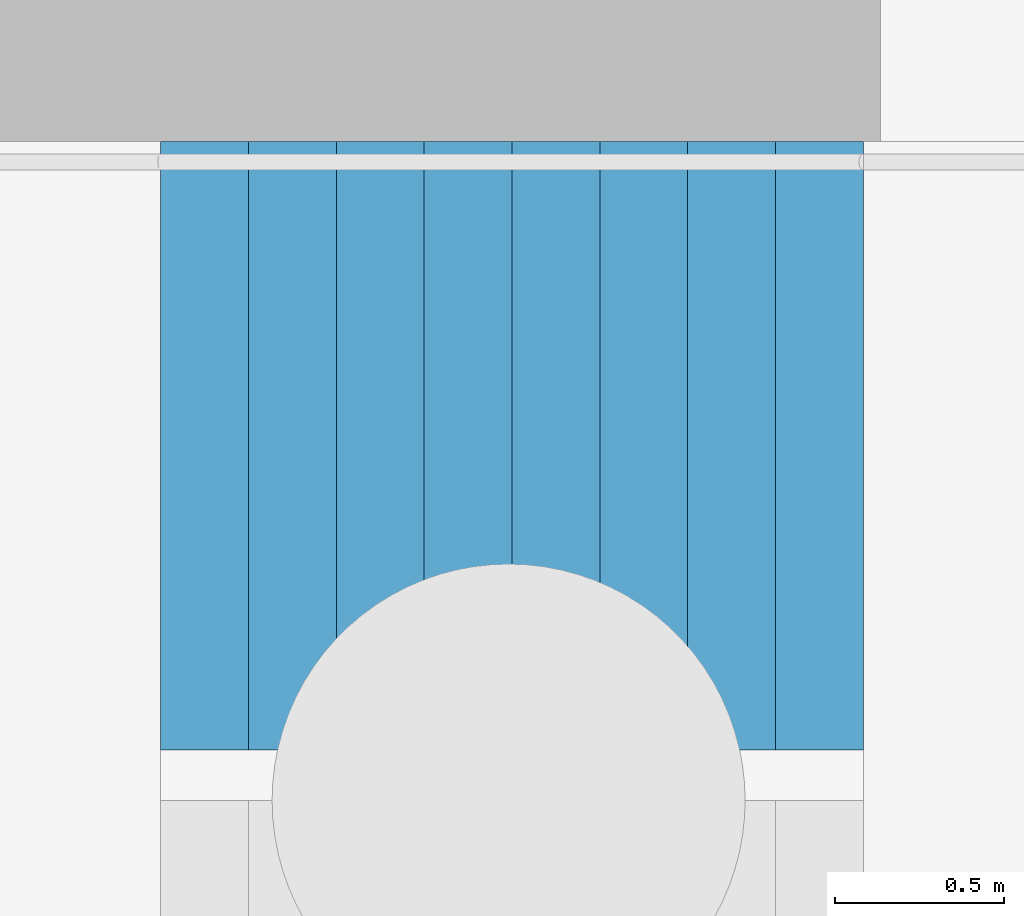
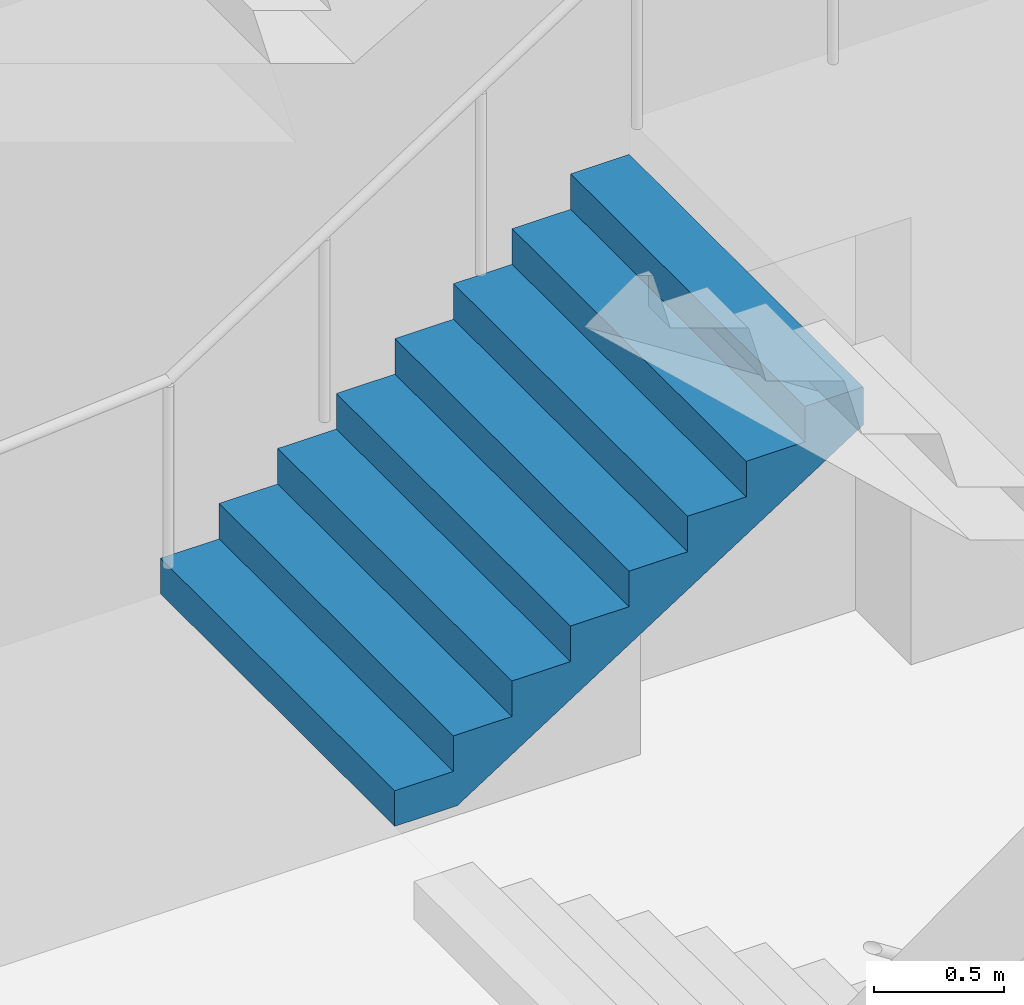
# One storey, part 81 of 113: 1 stair flight, 1 element without a shape of its own.
"""IFC4 building model written with IfcOpenShell, lengths in metres."""

import ifcopenshell
import ifcopenshell.guid

model = None  # the IFC model being written
_history = None  # IfcOwnerHistory: only IFC2X3 demands one
_inside = {}  # id of a spatial element -> (the spatial element, [elements in it])
_under = {}  # id of a project, library or spatial element -> (it, [spatial elements below it])
_declared = {}  # id of a project -> (the project, [libraries it declares])
_typed = {}  # id of a type object -> (the type object, [elements of that type])
_made_of = {}  # id of a material, layer set ... -> (it, [elements and type objects made of it])


def new_model(schema):
    """Start an empty IFC model of exactly this schema.

    Asked for "IFC4X3", IfcOpenShell would pick the latest addendum, in which some entities
    have other attributes; the version numbers below select the first issue.
    IFC2X3 requires an IfcOwnerHistory on every rooted entity: one is made here for all.
    """
    global model, _history
    if schema == "IFC4X3":
        model = ifcopenshell.file(schema_version=(4, 3, 0, 0))
    else:
        model = ifcopenshell.file(schema=schema)
    _inside.clear()
    _under.clear()
    _declared.clear()
    _typed.clear()
    _made_of.clear()
    _history = None
    if model.schema == "IFC2X3":
        org = make("IfcOrganization", Name="unknown")
        user = make(
            "IfcPersonAndOrganization",
            ThePerson=make("IfcPerson", FamilyName="unknown"),
            TheOrganization=org,
        )
        app = make(
            "IfcApplication",
            ApplicationDeveloper=org,
            Version="unknown",
            ApplicationFullName="unknown",
            ApplicationIdentifier="unknown",
        )
        _history = make(
            "IfcOwnerHistory",
            OwningUser=user,
            OwningApplication=app,
            ChangeAction="ADDED",
            CreationDate=0,
        )
    return model


def make(cls, **values):
    """One entity of the class cls with the attributes given. An attribute that is None is left unset."""
    return model.create_entity(
        cls, **{name: value for name, value in values.items() if value is not None}
    )


def rooted(cls, **values):
    """An entity with a GlobalId (a new one), such as an element, a storey or a relation."""
    return make(cls, GlobalId=ifcopenshell.guid.new(), OwnerHistory=_history, **values)


def si_unit(unit_type, name, prefix=None):
    """IfcSIUnit, for example si_unit("LENGTHUNIT", "METRE", prefix="MILLI")."""
    return make("IfcSIUnit", UnitType=unit_type, Prefix=prefix, Name=name)


def assignment(units):
    """IfcUnitAssignment: the units of a project."""
    return None if units is None else make("IfcUnitAssignment", Units=units)


def point(xyz):
    """IfcCartesianPoint."""
    return None if xyz is None else make("IfcCartesianPoint", Coordinates=xyz)


def direction(xyz):
    """IfcDirection."""
    return None if xyz is None else make("IfcDirection", DirectionRatios=xyz)


def frame(location, z_axis=None, x_axis=None):
    """IfcAxis2Placement3D, a coordinate frame: its origin and axes. An axis left out is left unset."""
    return make(
        "IfcAxis2Placement3D",
        Location=point(location),
        Axis=direction(z_axis),
        RefDirection=direction(x_axis),
    )


def origin():
    """The frame at (0, 0, 0) with its axes left unset."""
    return frame((0.0, 0.0, 0.0))


def place(relative_to, where):
    """IfcLocalPlacement: puts the frame where relative to a parent placement (None: the world)."""
    return make(
        "IfcLocalPlacement", PlacementRelTo=relative_to, RelativePlacement=where
    )


def context(
    kind, dimensions, precision=None, world=None, true_north=None, identifier=None
):
    """IfcGeometricRepresentationContext, for example the 3D "Model" context."""
    return make(
        "IfcGeometricRepresentationContext",
        ContextIdentifier=identifier,
        ContextType=kind,
        CoordinateSpaceDimension=dimensions,
        Precision=precision,
        WorldCoordinateSystem=world,
        TrueNorth=true_north,
    )


def subcontext(parent, identifier, kind, view, scale=None):
    """IfcGeometricRepresentationSubContext, for example "Body" below "Model"."""
    return make(
        "IfcGeometricRepresentationSubContext",
        ContextIdentifier=identifier,
        ContextType=kind,
        ParentContext=parent,
        TargetScale=scale,
        TargetView=view,
    )


def project(units=None, contexts=None):
    """IfcProject with its units and contexts."""
    return rooted(
        "IfcProject",
        Name="project",
        RepresentationContexts=contexts,
        UnitsInContext=assignment(units),
    )


def spatial(cls, under=None, at=None, **own):
    """A site, building, storey or space (cls), placed at a placement, below another one or the project."""
    s = rooted(cls, ObjectPlacement=at, **own)
    if under is not None:
        _under.setdefault(under.id(), (under, []))[1].append(s)
    return s


def point_list(points):
    """IfcCartesianPointList2D or 3D."""
    cls = (
        "IfcCartesianPointList2D" if len(points[0]) == 2 else "IfcCartesianPointList3D"
    )
    return make(cls, CoordList=points)


def triangles(points, corners, closed=None, point_numbers=None):
    """IfcTriangulatedFaceSet: each triangle names its three corners, points numbered from 1."""
    return make(
        "IfcTriangulatedFaceSet",
        Coordinates=point_list(points),
        Closed=closed,
        CoordIndex=corners,
        PnIndex=point_numbers,
    )


def shape(context_of_items, identifier, shape_type, items):
    """IfcShapeRepresentation: the items that make up one representation, for example the "Body"."""
    return make(
        "IfcShapeRepresentation",
        ContextOfItems=context_of_items,
        RepresentationIdentifier=identifier,
        RepresentationType=shape_type,
        Items=items,
    )


def material(Name=None, Category=None):
    """IfcMaterial."""
    return make("IfcMaterial", Name=Name, Category=Category)


def made_of(thing, what):
    """Note that an element or type object is made of a material, layer set ...; save() writes the relation."""
    if what is not None:
        _made_of.setdefault(what.id(), (what, []))[1].append(thing)
    return thing


def type_object(cls, material=None, **own):
    """A type object (cls), such as IfcWallType, which elements share."""
    return made_of(rooted(cls, **own), material)


def element(
    cls,
    number,
    at=None,
    inside=None,
    cuts=None,
    type_object=None,
    material=None,
    context=None,
    identifier="Body",
    shape_type=None,
    held_by="IfcProductDefinitionShape",
    body=None,
    shapes=None,
    **own,
):
    """One element of the class cls, such as IfcWall. Its Tag is "e" and its number.

    at: its placement. inside: the storey or other place that contains it. cuts: it is an
    opening in that element (IfcRelVoidsElement). A single representation is given by context,
    identifier, shape_type and body (its items); several are given by shapes. held_by: the class
    of the entity that holds the representations. save() writes the other relations.
    """
    e = rooted(cls, Tag="e%d" % number, ObjectPlacement=at, **own)
    if body is not None:
        shapes = [shape(context, identifier, shape_type, body)]
    if shapes is not None:
        e.Representation = make(held_by, Representations=shapes)
    if inside is not None:
        _inside.setdefault(inside.id(), (inside, []))[1].append(e)
    if cuts is not None:
        rooted(
            "IfcRelVoidsElement", RelatingBuildingElement=cuts, RelatedOpeningElement=e
        )
    if type_object is not None:
        _typed.setdefault(type_object.id(), (type_object, []))[1].append(e)
    return made_of(e, material)


def aggregate(whole, parts):
    """IfcRelAggregates: a whole, such as a stair, and the parts it consists of."""
    return rooted("IfcRelAggregates", RelatingObject=whole, RelatedObjects=parts)


def save(model, path):
    """Write the relations noted so far, then the file.

    IfcRelAggregates (storeys below a building ...), IfcRelContainedInSpatialStructure (elements
    in a storey), IfcRelDefinesByType, IfcRelAssociatesMaterial and IfcRelDeclares: one each for
    every whole, place, type object, material and project.
    """
    for whole, parts in _under.values():
        aggregate(whole, parts)
    for where, things in _inside.values():
        rooted(
            "IfcRelContainedInSpatialStructure",
            RelatedElements=things,
            RelatingStructure=where,
        )
    for kind, things in _typed.values():
        rooted("IfcRelDefinesByType", RelatedObjects=things, RelatingType=kind)
    for what, things in _made_of.values():
        rooted("IfcRelAssociatesMaterial", RelatedObjects=things, RelatingMaterial=what)
    for by, libraries in _declared.values():
        rooted("IfcRelDeclares", RelatingContext=by, RelatedDefinitions=libraries)
    model.write(path)


model = new_model("IFC4")

# Units and contexts
model_context = context("Model", 3, precision=1e-05, world=origin(), true_north=direction((0.0, 1.0)))
body_context = subcontext(model_context, "Body", "Model", "MODEL_VIEW")
ifc_project = project(units=[si_unit("LENGTHUNIT", "METRE"), si_unit("AREAUNIT", "SQUARE_METRE"), si_unit("VOLUMEUNIT", "CUBIC_METRE"), si_unit("PLANEANGLEUNIT", "RADIAN"), si_unit("MASSUNIT", "GRAM", prefix="KILO")], contexts=[model_context])

# Site, building, storey
site_placement = place(None, origin())
site = spatial("IfcSite", under=ifc_project, at=site_placement, CompositionType="ELEMENT")
building_placement = place(site_placement, origin())
building = spatial("IfcBuilding", under=site, at=building_placement, Name="Hakoniwa Tower and Hamabe Station Hall", CompositionType="ELEMENT")
storey_placement = place(building_placement, origin())
storey = spatial("IfcBuildingStorey", under=building, at=storey_placement, Name="L01", CompositionType="ELEMENT", Elevation=0.0)

# Stair, stair flight
ifc_material_1 = material(Name="Concrete C40", Category="concrete")
stair_type = type_object("IfcStairType", Name="ESCAPE STAIR 1800", PredefinedType="HALF_TURN_STAIR", material=ifc_material_1)
stair_placement = place(storey_placement, origin())
stair = element("IfcStair", 1, at=stair_placement, inside=storey, type_object=stair_type, Name="Escape stair ST-3 L01", PredefinedType="HALF_TURN_STAIR")
ifc_material_2 = material(Name="Concrete C40", Category="concrete")
stair_flight_type = type_object("IfcStairFlightType", Name="STAIR FLIGHT 1800", PredefinedType="STRAIGHT", material=ifc_material_2)
stair_flight_placement = place(storey_placement, frame((22.320068359375, 6.60009765625, 1.5), z_axis=(0.0, 0.0, 1.0), x_axis=(1.0, 0.0, 0.0)))
stair_flight = element("IfcStairFlight", 2, at=stair_flight_placement, type_object=stair_flight_type, Name="ST-3 flight 2", NumberOfRisers=9, NumberOfTreads=8, PredefinedType="STRAIGHT", RiserHeight=0.166666667, TreadLength=0.26, context=body_context, shape_type="Tessellation", body=[
    triangles([(0.0, 0.89990234375, 0.0), (0.260009765625, 0.89990234375, 0.0), (0.27783203125, 0.89990234375, 0.0), (0.52001953125, 0.89990234375, 0.1552734375), (0.780029296875, 0.89990234375, 0.322021484375), (1.0400390625, 0.89990234375, 0.488525390625), (1.300048828125, 0.89990234375, 0.6552734375), (1.56005859375, 0.89990234375, 0.822021484375), (1.820068359375, 0.89990234375, 0.988525390625), (2.080078125, 0.89990234375, 1.1552734375), (2.080078125, 0.89990234375, 1.333251953125), (1.820068359375, 0.89990234375, 1.333251953125), (1.820068359375, 0.89990234375, 1.166748046875), (1.56005859375, 0.89990234375, 1.166748046875), (1.56005859375, 0.89990234375, 1.0), (1.300048828125, 0.89990234375, 1.0), (1.300048828125, 0.89990234375, 0.833251953125), (1.0400390625, 0.89990234375, 0.833251953125), (1.0400390625, 0.89990234375, 0.666748046875), (0.780029296875, 0.89990234375, 0.666748046875), (0.780029296875, 0.89990234375, 0.5), (0.52001953125, 0.89990234375, 0.5), (0.52001953125, 0.89990234375, 0.333251953125), (0.27783203125, 0.89990234375, 0.333251953125), (0.260009765625, 0.89990234375, 0.333251953125), (0.260009765625, 0.89990234375, 0.166748046875), (0.0, 0.89990234375, 0.166748046875), (0.0, 0.06005859375, 0.0), (0.260009765625, 0.06005859375, 0.0), (0.27783203125, 0.06005859375, 0.0), (0.52001953125, 0.06005859375, 0.1552734375), (0.780029296875, 0.06005859375, 0.322021484375), (1.0400390625, 0.06005859375, 0.488525390625), (1.300048828125, 0.06005859375, 0.6552734375), (1.56005859375, 0.06005859375, 0.822021484375), (1.820068359375, 0.06005859375, 0.988525390625), (2.080078125, 0.06005859375, 1.1552734375), (2.080078125, 0.06005859375, 1.333251953125), (1.820068359375, 0.06005859375, 1.333251953125), (1.820068359375, 0.06005859375, 1.166748046875), (1.56005859375, 0.06005859375, 1.166748046875), (1.56005859375, 0.06005859375, 1.0), (1.300048828125, 0.06005859375, 1.0), (1.300048828125, 0.06005859375, 0.833251953125), (1.0400390625, 0.06005859375, 0.833251953125), (1.0400390625, 0.06005859375, 0.666748046875), (0.780029296875, 0.06005859375, 0.666748046875), (0.780029296875, 0.06005859375, 0.5), (0.52001953125, 0.06005859375, 0.5), (0.52001953125, 0.06005859375, 0.333251953125), (0.27783203125, 0.06005859375, 0.333251953125), (0.260009765625, 0.06005859375, 0.333251953125), (0.260009765625, 0.06005859375, 0.166748046875), (0.0, 0.06005859375, 0.166748046875), (0.0, 0.04296875, 0.0), (0.260009765625, 0.04296875, 0.0), (0.27783203125, 0.04296875, 0.0), (0.52001953125, 0.04296875, 0.1552734375), (0.780029296875, 0.04296875, 0.322021484375), (1.0400390625, 0.04296875, 0.488525390625), (1.300048828125, 0.04296875, 0.6552734375), (1.56005859375, 0.04296875, 0.822021484375), (1.820068359375, 0.04296875, 0.988525390625), (2.080078125, 0.04296875, 1.1552734375), (2.080078125, 0.04296875, 1.333251953125), (1.820068359375, 0.04296875, 1.333251953125), (1.820068359375, 0.04296875, 1.166748046875), (1.56005859375, 0.04296875, 1.166748046875), (1.56005859375, 0.04296875, 1.0), (1.300048828125, 0.04296875, 1.0), (1.300048828125, 0.04296875, 0.833251953125), (1.0400390625, 0.04296875, 0.833251953125), (1.0400390625, 0.04296875, 0.666748046875), (0.780029296875, 0.04296875, 0.666748046875), (0.780029296875, 0.04296875, 0.5), (0.52001953125, 0.04296875, 0.5), (0.52001953125, 0.04296875, 0.333251953125), (0.27783203125, 0.04296875, 0.333251953125), (0.260009765625, 0.04296875, 0.333251953125), (0.260009765625, 0.04296875, 0.166748046875), (0.0, 0.04296875, 0.166748046875), (0.0, 0.025634765625, 0.0), (0.260009765625, 0.025634765625, 0.0), (0.27783203125, 0.025634765625, 0.0), (0.52001953125, 0.025634765625, 0.1552734375), (0.780029296875, 0.025634765625, 0.322021484375), (1.0400390625, 0.025634765625, 0.488525390625), (1.300048828125, 0.025634765625, 0.6552734375), (1.56005859375, 0.025634765625, 0.822021484375), (1.820068359375, 0.025634765625, 0.988525390625), (2.080078125, 0.025634765625, 1.1552734375), (2.080078125, 0.025634765625, 1.333251953125), (1.820068359375, 0.025634765625, 1.333251953125), (1.820068359375, 0.025634765625, 1.166748046875), (1.56005859375, 0.025634765625, 1.166748046875), (1.56005859375, 0.025634765625, 1.0), (1.300048828125, 0.025634765625, 1.0), (1.300048828125, 0.025634765625, 0.833251953125), (1.0400390625, 0.025634765625, 0.833251953125), (1.0400390625, 0.025634765625, 0.666748046875), (0.780029296875, 0.025634765625, 0.666748046875), (0.780029296875, 0.025634765625, 0.5), (0.52001953125, 0.025634765625, 0.5), (0.52001953125, 0.025634765625, 0.333251953125), (0.27783203125, 0.025634765625, 0.333251953125), (0.260009765625, 0.025634765625, 0.333251953125), (0.260009765625, 0.025634765625, 0.166748046875), (0.0, 0.025634765625, 0.166748046875), (0.0, 0.008544921875, 0.0), (0.260009765625, 0.008544921875, 0.0), (0.27783203125, 0.008544921875, 0.0), (0.52001953125, 0.008544921875, 0.1552734375), (0.780029296875, 0.008544921875, 0.322021484375), (1.0400390625, 0.008544921875, 0.488525390625), (1.300048828125, 0.008544921875, 0.6552734375), (1.56005859375, 0.008544921875, 0.822021484375), (1.820068359375, 0.008544921875, 0.988525390625), (2.080078125, 0.008544921875, 1.1552734375), (2.080078125, 0.008544921875, 1.333251953125), (1.820068359375, 0.008544921875, 1.333251953125), (1.820068359375, 0.008544921875, 1.166748046875), (1.56005859375, 0.008544921875, 1.166748046875), (1.56005859375, 0.008544921875, 1.0), (1.300048828125, 0.008544921875, 1.0), (1.300048828125, 0.008544921875, 0.833251953125), (1.0400390625, 0.008544921875, 0.833251953125), (1.0400390625, 0.008544921875, 0.666748046875), (0.780029296875, 0.008544921875, 0.666748046875), (0.780029296875, 0.008544921875, 0.5), (0.52001953125, 0.008544921875, 0.5), (0.52001953125, 0.008544921875, 0.333251953125), (0.27783203125, 0.008544921875, 0.333251953125), (0.260009765625, 0.008544921875, 0.333251953125), (0.260009765625, 0.008544921875, 0.166748046875), (0.0, 0.008544921875, 0.166748046875), (0.0, -0.008544921875, 0.0), (0.260009765625, -0.008544921875, 0.0), (0.27783203125, -0.008544921875, 0.0), (0.52001953125, -0.008544921875, 0.1552734375), (0.780029296875, -0.008544921875, 0.322021484375), (1.0400390625, -0.008544921875, 0.488525390625), (1.300048828125, -0.008544921875, 0.6552734375), (1.56005859375, -0.008544921875, 0.822021484375), (1.820068359375, -0.008544921875, 0.988525390625), (2.080078125, -0.008544921875, 1.1552734375), (2.080078125, -0.008544921875, 1.333251953125), (1.820068359375, -0.008544921875, 1.333251953125), (1.820068359375, -0.008544921875, 1.166748046875), (1.56005859375, -0.008544921875, 1.166748046875), (1.56005859375, -0.008544921875, 1.0), (1.300048828125, -0.008544921875, 1.0), (1.300048828125, -0.008544921875, 0.833251953125), (1.0400390625, -0.008544921875, 0.833251953125), (1.0400390625, -0.008544921875, 0.666748046875), (0.780029296875, -0.008544921875, 0.666748046875), (0.780029296875, -0.008544921875, 0.5), (0.52001953125, -0.008544921875, 0.5), (0.52001953125, -0.008544921875, 0.333251953125), (0.27783203125, -0.008544921875, 0.333251953125), (0.260009765625, -0.008544921875, 0.333251953125), (0.260009765625, -0.008544921875, 0.166748046875), (0.0, -0.008544921875, 0.166748046875), (0.0, -0.025634765625, 0.0), (0.260009765625, -0.025634765625, 0.0), (0.27783203125, -0.025634765625, 0.0), (0.52001953125, -0.025634765625, 0.1552734375), (0.780029296875, -0.025634765625, 0.322021484375), (1.0400390625, -0.025634765625, 0.488525390625), (1.300048828125, -0.025634765625, 0.6552734375), (1.56005859375, -0.025634765625, 0.822021484375), (1.820068359375, -0.025634765625, 0.988525390625), (2.080078125, -0.025634765625, 1.1552734375), (2.080078125, -0.025634765625, 1.333251953125), (1.820068359375, -0.025634765625, 1.333251953125), (1.820068359375, -0.025634765625, 1.166748046875), (1.56005859375, -0.025634765625, 1.166748046875), (1.56005859375, -0.025634765625, 1.0), (1.300048828125, -0.025634765625, 1.0), (1.300048828125, -0.025634765625, 0.833251953125), (1.0400390625, -0.025634765625, 0.833251953125), (1.0400390625, -0.025634765625, 0.666748046875), (0.780029296875, -0.025634765625, 0.666748046875), (0.780029296875, -0.025634765625, 0.5), (0.52001953125, -0.025634765625, 0.5), (0.52001953125, -0.025634765625, 0.333251953125), (0.27783203125, -0.025634765625, 0.333251953125), (0.260009765625, -0.025634765625, 0.333251953125), (0.260009765625, -0.025634765625, 0.166748046875), (0.0, -0.025634765625, 0.166748046875), (0.0, -0.04296875, 0.0), (0.260009765625, -0.04296875, 0.0), (0.27783203125, -0.04296875, 0.0), (0.52001953125, -0.04296875, 0.1552734375), (0.780029296875, -0.04296875, 0.322021484375), (1.0400390625, -0.04296875, 0.488525390625), (1.300048828125, -0.04296875, 0.6552734375), (1.56005859375, -0.04296875, 0.822021484375), (1.820068359375, -0.04296875, 0.988525390625), (2.080078125, -0.04296875, 1.1552734375), (2.080078125, -0.04296875, 1.333251953125), (1.820068359375, -0.04296875, 1.333251953125), (1.820068359375, -0.04296875, 1.166748046875), (1.56005859375, -0.04296875, 1.166748046875), (1.56005859375, -0.04296875, 1.0), (1.300048828125, -0.04296875, 1.0), (1.300048828125, -0.04296875, 0.833251953125), (1.0400390625, -0.04296875, 0.833251953125), (1.0400390625, -0.04296875, 0.666748046875), (0.780029296875, -0.04296875, 0.666748046875), (0.780029296875, -0.04296875, 0.5), (0.52001953125, -0.04296875, 0.5), (0.52001953125, -0.04296875, 0.333251953125), (0.27783203125, -0.04296875, 0.333251953125), (0.260009765625, -0.04296875, 0.333251953125), (0.260009765625, -0.04296875, 0.166748046875), (0.0, -0.04296875, 0.166748046875), (0.0, -0.06005859375, 0.0), (0.260009765625, -0.06005859375, 0.0), (0.27783203125, -0.06005859375, 0.0), (0.52001953125, -0.06005859375, 0.1552734375), (0.780029296875, -0.06005859375, 0.322021484375), (1.0400390625, -0.06005859375, 0.488525390625), (1.300048828125, -0.06005859375, 0.6552734375), (1.56005859375, -0.06005859375, 0.822021484375), (1.820068359375, -0.06005859375, 0.988525390625), (2.080078125, -0.06005859375, 1.1552734375), (2.080078125, -0.06005859375, 1.333251953125), (1.820068359375, -0.06005859375, 1.333251953125), (1.820068359375, -0.06005859375, 1.166748046875), (1.56005859375, -0.06005859375, 1.166748046875), (1.56005859375, -0.06005859375, 1.0), (1.300048828125, -0.06005859375, 1.0), (1.300048828125, -0.06005859375, 0.833251953125), (1.0400390625, -0.06005859375, 0.833251953125), (1.0400390625, -0.06005859375, 0.666748046875), (0.780029296875, -0.06005859375, 0.666748046875), (0.780029296875, -0.06005859375, 0.5), (0.52001953125, -0.06005859375, 0.5), (0.52001953125, -0.06005859375, 0.333251953125), (0.27783203125, -0.06005859375, 0.333251953125), (0.260009765625, -0.06005859375, 0.333251953125), (0.260009765625, -0.06005859375, 0.166748046875), (0.0, -0.06005859375, 0.166748046875), (0.0, -0.89990234375, 0.0), (0.260009765625, -0.89990234375, 0.0), (0.27783203125, -0.89990234375, 0.0), (0.52001953125, -0.89990234375, 0.1552734375), (0.780029296875, -0.89990234375, 0.322021484375), (1.0400390625, -0.89990234375, 0.488525390625), (1.300048828125, -0.89990234375, 0.6552734375), (1.56005859375, -0.89990234375, 0.822021484375), (1.820068359375, -0.89990234375, 0.988525390625), (2.080078125, -0.89990234375, 1.1552734375), (2.080078125, -0.89990234375, 1.333251953125), (1.820068359375, -0.89990234375, 1.333251953125), (1.820068359375, -0.89990234375, 1.166748046875), (1.56005859375, -0.89990234375, 1.166748046875), (1.56005859375, -0.89990234375, 1.0), (1.300048828125, -0.89990234375, 1.0), (1.300048828125, -0.89990234375, 0.833251953125), (1.0400390625, -0.89990234375, 0.833251953125), (1.0400390625, -0.89990234375, 0.666748046875), (0.780029296875, -0.89990234375, 0.666748046875), (0.780029296875, -0.89990234375, 0.5), (0.52001953125, -0.89990234375, 0.5), (0.52001953125, -0.89990234375, 0.333251953125), (0.27783203125, -0.89990234375, 0.333251953125), (0.260009765625, -0.89990234375, 0.333251953125), (0.260009765625, -0.89990234375, 0.166748046875), (0.0, -0.89990234375, 0.166748046875)], [[2, 27, 26], [245, 269, 270], [2, 1, 27], [245, 270, 244], [3, 25, 24], [246, 267, 268], [3, 26, 25], [246, 268, 269], [3, 2, 26], [246, 269, 245], [4, 24, 23], [247, 266, 267], [4, 3, 24], [247, 267, 246], [5, 22, 21], [248, 264, 265], [5, 23, 22], [248, 265, 266], [5, 4, 23], [248, 266, 247], [6, 20, 19], [249, 262, 263], [6, 21, 20], [249, 263, 264], [6, 5, 21], [249, 264, 248], [7, 18, 17], [250, 260, 261], [7, 19, 18], [250, 261, 262], [7, 6, 19], [250, 262, 249], [8, 16, 15], [251, 258, 259], [8, 17, 16], [251, 259, 260], [8, 7, 17], [251, 260, 250], [9, 14, 13], [252, 256, 257], [9, 15, 14], [252, 257, 258], [9, 8, 15], [252, 258, 251], [10, 12, 11], [253, 254, 255], [10, 13, 12], [253, 255, 256], [10, 9, 13], [253, 256, 252], [1, 2, 29], [1, 29, 28], [28, 29, 56], [28, 56, 55], [55, 56, 83], [55, 83, 82], [82, 83, 110], [82, 110, 109], [109, 110, 137], [109, 137, 136], [136, 137, 164], [136, 164, 163], [163, 164, 191], [163, 191, 190], [190, 191, 218], [190, 218, 217], [217, 218, 245], [217, 245, 244], [2, 3, 30], [2, 30, 29], [29, 30, 57], [29, 57, 56], [56, 57, 84], [56, 84, 83], [83, 84, 111], [83, 111, 110], [110, 111, 138], [110, 138, 137], [137, 138, 165], [137, 165, 164], [164, 165, 192], [164, 192, 191], [191, 192, 219], [191, 219, 218], [218, 219, 246], [218, 246, 245], [3, 4, 31], [3, 31, 30], [30, 31, 58], [30, 58, 57], [57, 58, 85], [57, 85, 84], [84, 85, 112], [84, 112, 111], [111, 112, 139], [111, 139, 138], [138, 139, 166], [138, 166, 165], [165, 166, 193], [165, 193, 192], [192, 193, 220], [192, 220, 219], [219, 220, 247], [219, 247, 246], [4, 5, 32], [4, 32, 31], [31, 32, 59], [31, 59, 58], [58, 59, 86], [58, 86, 85], [85, 86, 113], [85, 113, 112], [112, 113, 140], [112, 140, 139], [139, 140, 167], [139, 167, 166], [166, 167, 194], [166, 194, 193], [193, 194, 221], [193, 221, 220], [220, 221, 248], [220, 248, 247], [5, 6, 33], [5, 33, 32], [32, 33, 60], [32, 60, 59], [59, 60, 87], [59, 87, 86], [86, 87, 114], [86, 114, 113], [113, 114, 141], [113, 141, 140], [140, 141, 168], [140, 168, 167], [167, 168, 195], [167, 195, 194], [194, 195, 222], [194, 222, 221], [221, 222, 249], [221, 249, 248], [6, 7, 34], [6, 34, 33], [33, 34, 61], [33, 61, 60], [60, 61, 88], [60, 88, 87], [87, 88, 115], [87, 115, 114], [114, 115, 142], [114, 142, 141], [141, 142, 169], [141, 169, 168], [168, 169, 196], [168, 196, 195], [195, 196, 223], [195, 223, 222], [222, 223, 250], [222, 250, 249], [7, 8, 35], [7, 35, 34], [34, 35, 62], [34, 62, 61], [61, 62, 89], [61, 89, 88], [88, 89, 116], [88, 116, 115], [115, 116, 143], [115, 143, 142], [142, 143, 170], [142, 170, 169], [169, 170, 197], [169, 197, 196], [196, 197, 224], [196, 224, 223], [223, 224, 251], [223, 251, 250], [8, 9, 36], [8, 36, 35], [35, 36, 63], [35, 63, 62], [62, 63, 90], [62, 90, 89], [89, 90, 117], [89, 117, 116], [116, 117, 144], [116, 144, 143], [143, 144, 171], [143, 171, 170], [170, 171, 198], [170, 198, 197], [197, 198, 225], [197, 225, 224], [224, 225, 252], [224, 252, 251], [9, 10, 37], [9, 37, 36], [36, 37, 64], [36, 64, 63], [63, 64, 91], [63, 91, 90], [90, 91, 118], [90, 118, 117], [117, 118, 145], [117, 145, 144], [144, 145, 172], [144, 172, 171], [171, 172, 199], [171, 199, 198], [198, 199, 226], [198, 226, 225], [225, 226, 253], [225, 253, 252], [10, 11, 38], [10, 38, 37], [37, 38, 65], [37, 65, 64], [64, 65, 92], [64, 92, 91], [91, 92, 119], [91, 119, 118], [118, 119, 146], [118, 146, 145], [145, 146, 173], [145, 173, 172], [172, 173, 200], [172, 200, 199], [199, 200, 227], [199, 227, 226], [226, 227, 254], [226, 254, 253], [11, 12, 39], [11, 39, 38], [38, 39, 66], [38, 66, 65], [65, 66, 93], [65, 93, 92], [92, 93, 120], [92, 120, 119], [119, 120, 147], [119, 147, 146], [146, 147, 174], [146, 174, 173], [173, 174, 201], [173, 201, 200], [200, 201, 228], [200, 228, 227], [227, 228, 255], [227, 255, 254], [12, 13, 40], [12, 40, 39], [39, 40, 67], [39, 67, 66], [66, 67, 94], [66, 94, 93], [93, 94, 121], [93, 121, 120], [120, 121, 148], [120, 148, 147], [147, 148, 175], [147, 175, 174], [174, 175, 202], [174, 202, 201], [201, 202, 229], [201, 229, 228], [228, 229, 256], [228, 256, 255], [13, 14, 41], [13, 41, 40], [40, 41, 68], [40, 68, 67], [67, 68, 95], [67, 95, 94], [94, 95, 122], [94, 122, 121], [121, 122, 149], [121, 149, 148], [148, 149, 176], [148, 176, 175], [175, 176, 203], [175, 203, 202], [202, 203, 230], [202, 230, 229], [229, 230, 257], [229, 257, 256], [14, 15, 42], [14, 42, 41], [41, 42, 69], [41, 69, 68], [68, 69, 96], [68, 96, 95], [95, 96, 123], [95, 123, 122], [122, 123, 150], [122, 150, 149], [149, 150, 177], [149, 177, 176], [176, 177, 204], [176, 204, 203], [203, 204, 231], [203, 231, 230], [230, 231, 258], [230, 258, 257], [15, 16, 43], [15, 43, 42], [42, 43, 70], [42, 70, 69], [69, 70, 97], [69, 97, 96], [96, 97, 124], [96, 124, 123], [123, 124, 151], [123, 151, 150], [150, 151, 178], [150, 178, 177], [177, 178, 205], [177, 205, 204], [204, 205, 232], [204, 232, 231], [231, 232, 259], [231, 259, 258], [16, 17, 44], [16, 44, 43], [43, 44, 71], [43, 71, 70], [70, 71, 98], [70, 98, 97], [97, 98, 125], [97, 125, 124], [124, 125, 152], [124, 152, 151], [151, 152, 179], [151, 179, 178], [178, 179, 206], [178, 206, 205], [205, 206, 233], [205, 233, 232], [232, 233, 260], [232, 260, 259], [17, 18, 45], [17, 45, 44], [44, 45, 72], [44, 72, 71], [71, 72, 99], [71, 99, 98], [98, 99, 126], [98, 126, 125], [125, 126, 153], [125, 153, 152], [152, 153, 180], [152, 180, 179], [179, 180, 207], [179, 207, 206], [206, 207, 234], [206, 234, 233], [233, 234, 261], [233, 261, 260], [18, 19, 46], [18, 46, 45], [45, 46, 73], [45, 73, 72], [72, 73, 100], [72, 100, 99], [99, 100, 127], [99, 127, 126], [126, 127, 154], [126, 154, 153], [153, 154, 181], [153, 181, 180], [180, 181, 208], [180, 208, 207], [207, 208, 235], [207, 235, 234], [234, 235, 262], [234, 262, 261], [19, 20, 47], [19, 47, 46], [46, 47, 74], [46, 74, 73], [73, 74, 101], [73, 101, 100], [100, 101, 128], [100, 128, 127], [127, 128, 155], [127, 155, 154], [154, 155, 182], [154, 182, 181], [181, 182, 209], [181, 209, 208], [208, 209, 236], [208, 236, 235], [235, 236, 263], [235, 263, 262], [20, 21, 48], [20, 48, 47], [47, 48, 75], [47, 75, 74], [74, 75, 102], [74, 102, 101], [101, 102, 129], [101, 129, 128], [128, 129, 156], [128, 156, 155], [155, 156, 183], [155, 183, 182], [182, 183, 210], [182, 210, 209], [209, 210, 237], [209, 237, 236], [236, 237, 264], [236, 264, 263], [21, 22, 49], [21, 49, 48], [48, 49, 76], [48, 76, 75], [75, 76, 103], [75, 103, 102], [102, 103, 130], [102, 130, 129], [129, 130, 157], [129, 157, 156], [156, 157, 184], [156, 184, 183], [183, 184, 211], [183, 211, 210], [210, 211, 238], [210, 238, 237], [237, 238, 265], [237, 265, 264], [22, 23, 50], [22, 50, 49], [49, 50, 77], [49, 77, 76], [76, 77, 104], [76, 104, 103], [103, 104, 131], [103, 131, 130], [130, 131, 158], [130, 158, 157], [157, 158, 185], [157, 185, 184], [184, 185, 212], [184, 212, 211], [211, 212, 239], [211, 239, 238], [238, 239, 266], [238, 266, 265], [23, 24, 51], [23, 51, 50], [50, 51, 78], [50, 78, 77], [77, 78, 105], [77, 105, 104], [104, 105, 132], [104, 132, 131], [131, 132, 159], [131, 159, 158], [158, 159, 186], [158, 186, 185], [185, 186, 213], [185, 213, 212], [212, 213, 240], [212, 240, 239], [239, 240, 267], [239, 267, 266], [24, 25, 52], [24, 52, 51], [51, 52, 79], [51, 79, 78], [78, 79, 106], [78, 106, 105], [105, 106, 133], [105, 133, 132], [132, 133, 160], [132, 160, 159], [159, 160, 187], [159, 187, 186], [186, 187, 214], [186, 214, 213], [213, 214, 241], [213, 241, 240], [240, 241, 268], [240, 268, 267], [25, 26, 53], [25, 53, 52], [52, 53, 80], [52, 80, 79], [79, 80, 107], [79, 107, 106], [106, 107, 134], [106, 134, 133], [133, 134, 161], [133, 161, 160], [160, 161, 188], [160, 188, 187], [187, 188, 215], [187, 215, 214], [214, 215, 242], [214, 242, 241], [241, 242, 269], [241, 269, 268], [26, 27, 54], [26, 54, 53], [53, 54, 81], [53, 81, 80], [80, 81, 108], [80, 108, 107], [107, 108, 135], [107, 135, 134], [134, 135, 162], [134, 162, 161], [161, 162, 189], [161, 189, 188], [188, 189, 216], [188, 216, 215], [215, 216, 243], [215, 243, 242], [242, 243, 270], [242, 270, 269], [27, 1, 28], [27, 28, 54], [54, 28, 55], [54, 55, 81], [81, 55, 82], [81, 82, 108], [108, 82, 109], [108, 109, 135], [135, 109, 136], [135, 136, 162], [162, 136, 163], [162, 163, 189], [189, 163, 190], [189, 190, 216], [216, 190, 217], [216, 217, 243], [243, 217, 244], [243, 244, 270]], closed=True),
])
aggregate(stair, [stair_flight])

save(model, "model.ifc")
